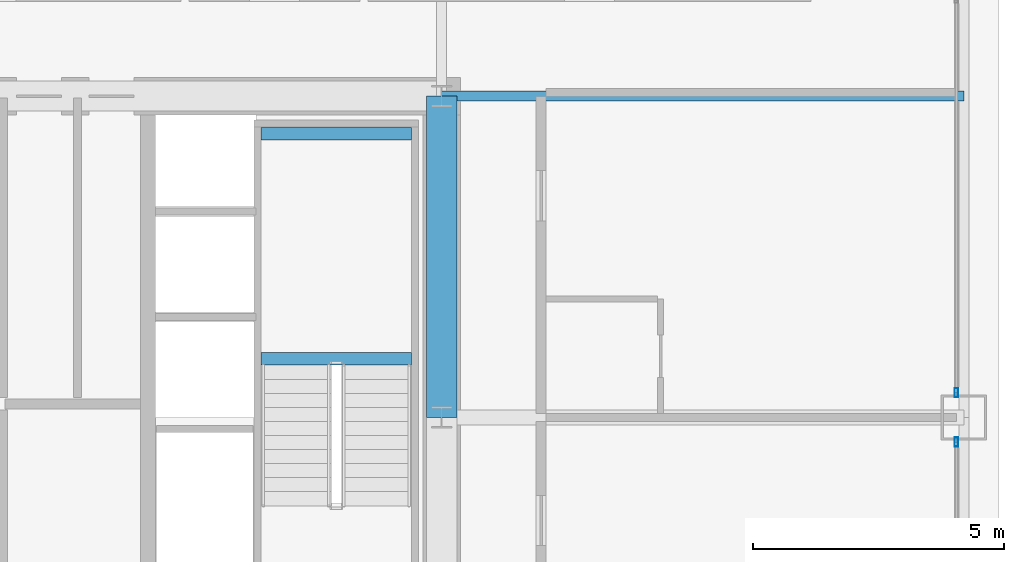
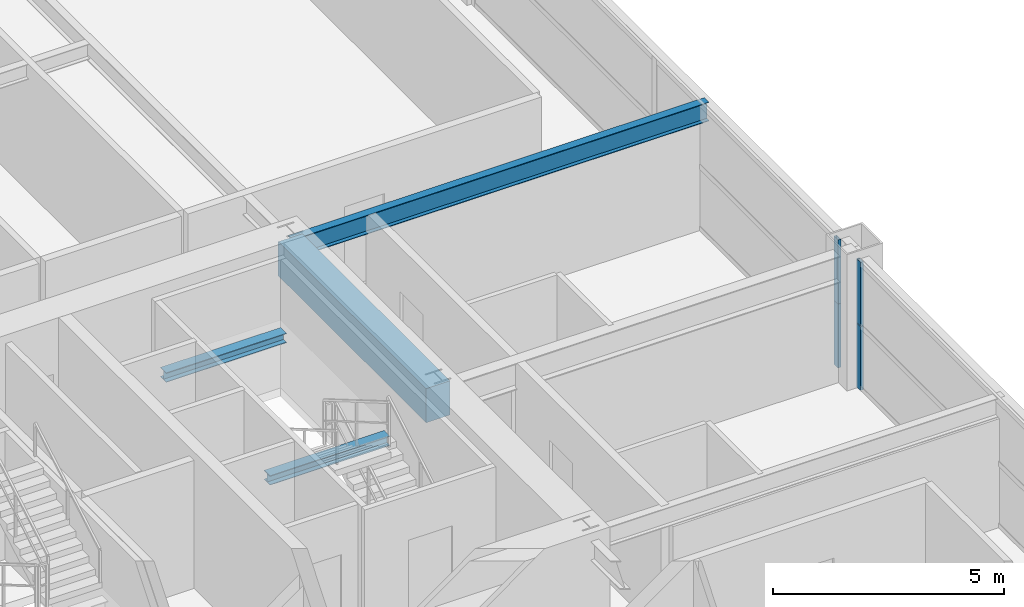
# One storey, part 19 of 38: 4 beams, 4 members, 2 elements without a shape of their own.
"""IFC4 building model written with IfcOpenShell, lengths in metres."""

from ifc_helpers import new_model, si_unit, direction, frame, origin, origin_2d, place, context, subcontext, project, spatial, rectangle, hollow_rectangle, i_section, extrude, source, transform, mapped, material, layer, layer_set, material_profile, profile_set, type_object, element, aggregate, save


model = new_model("IFC4")

# Units and contexts
model_context = context("Model", 3, precision=1e-05, world=origin(), true_north=direction((0.0, 1.0)))
body_context = subcontext(model_context, "Body", "Model", "MODEL_VIEW")
ifc_project = project(units=[si_unit("LENGTHUNIT", "METRE"), si_unit("AREAUNIT", "SQUARE_METRE"), si_unit("VOLUMEUNIT", "CUBIC_METRE"), si_unit("PLANEANGLEUNIT", "RADIAN"), si_unit("MASSUNIT", "GRAM", prefix="KILO"), si_unit("THERMODYNAMICTEMPERATUREUNIT", "KELVIN"), si_unit("POWERUNIT", "WATT")], contexts=[model_context])

# Site, building, storey
site_placement = place(None, origin())
site = spatial("IfcSite", under=ifc_project, at=site_placement, CompositionType="ELEMENT")
building_placement = place(site_placement, origin())
building = spatial("IfcBuilding", under=site, at=building_placement, Name="Yuzanri Waterfront Tower", CompositionType="ELEMENT")
storey_placement = place(building_placement, frame((0.0, 0.0, 111.800048828125)))
storey = spatial("IfcBuildingStorey", under=building, at=storey_placement, Name="L29", CompositionType="ELEMENT", Elevation=111.800048828125)

# Beams
ifc_material_1 = material(Name="Concrete C60", Category="concrete")
ifc_material_profile_1 = material_profile(ifc_material_1, rectangle(XDim=0.60009765625, YDim=0.89990234375, at=origin_2d()), Name="RC 600x900")
ifc_profile_set_1 = profile_set([ifc_material_profile_1], Name="Concrete C60")
beam_type_1 = type_object("IfcBeamType", Name="Core Coupling Lintel Concrete C60 600x900", PredefinedType="LINTEL", material=ifc_profile_set_1)
shared_shape_1 = source(origin(), body_context, "Body", "SweptSolid", [
    extrude(rectangle(XDim=0.60009765625, YDim=0.89990234375, at=origin_2d()), origin(), (0.0, 0.0, 1.0), 6.39990234375),
])
beam_1_placement = place(storey_placement, frame((50.199951171875, 25.800048828125, 2.929931640625), z_axis=(0.0, 1.0, 0.0), x_axis=(-1.0, 0.0, 0.0)))
element("IfcBeam", 1, at=beam_1_placement, inside=storey, type_object=beam_type_1, Name="L29 Core Tie Beam CE2", PredefinedType="LINTEL", context=body_context, shape_type="MappedRepresentation", body=[
    mapped(shared_shape_1, transform((0.0, 0.0, 0.0), scale=1.0)),
])
ifc_material_2 = material(Name="Steel Q355B", Category="steel")
ifc_material_profile_2 = material_profile(ifc_material_2, i_section(OverallWidth=0.199951171875, OverallDepth=0.5, WebThickness=0.010009765625, FlangeThickness=0.01611328125, at=origin_2d()), Name="HN 500x200x10x16")
ifc_profile_set_2 = profile_set([ifc_material_profile_2], Name="Steel Q355B")
beam_type_2 = type_object("IfcBeamType", Name="Secondary Floor Beam Q355B HN 500x200", PredefinedType="BEAM", material=ifc_profile_set_2)
shared_shape_2 = source(origin(), body_context, "Body", "SweptSolid", [
    extrude(i_section(OverallWidth=0.199951171875, OverallDepth=0.5, WebThickness=0.010009765625, FlangeThickness=0.01611328125, at=origin_2d()), origin(), (0.0, 0.0, 1.0), 10.400146484375),
])
beam_2_placement = place(storey_placement, frame((50.199951171875, 32.199951171875, 3.1298828125), z_axis=(1.0, 0.0, 0.0), x_axis=(0.0, 1.0, 0.0)))
element("IfcBeam", 2, at=beam_2_placement, inside=storey, type_object=beam_type_2, Name="L29 East-North Core Line Beam", PredefinedType="BEAM", context=body_context, shape_type="MappedRepresentation", body=[
    mapped(shared_shape_2, transform((0.0, 0.0, 0.0), scale=1.0)),
])

# Curtain wall, members
ifc_material_3 = material(Name="Anodized Architectural Bronze", Category="metal")
ifc_layer = layer(ifc_material_3, 0.159912109375)
ifc_layer_set = layer_set([ifc_layer], Name="Anodized Architectural Bronze")
curtain_wall_type = type_object("IfcCurtainWallType", Name="Anodized Bronze Hotel Upper-Tier Solar-Control Unitized Curtain Wall 7800", PredefinedType="NOTDEFINED", material=ifc_layer_set)
curtain_wall_1_placement = place(storey_placement, origin())
curtain_wall_1 = element("IfcCurtainWall", 3, at=curtain_wall_1_placement, inside=storey, type_object=curtain_wall_type, Name="L29 Curtain Wall CW-L29-EL", PredefinedType="NOTDEFINED")
ifc_material_4 = material(Name="Anodized Architectural Bronze", Category="metal")
ifc_material_profile_3 = material_profile(ifc_material_4, hollow_rectangle(XDim=0.070068359375, YDim=0.179931640625, WallThickness=0.00390625, at=origin_2d()), Name="CWM 70x180")
ifc_profile_set_3 = profile_set([ifc_material_profile_3], Name="Anodized Architectural Bronze")
member_type = type_object("IfcMemberType", Name="Anodized Bronze Standard Curtain-Wall Mullion 70x180", PredefinedType="MULLION", material=ifc_profile_set_3)
shared_shape_3 = source(origin(), body_context, "Body", "SweptSolid", [
    extrude(hollow_rectangle(XDim=0.070068359375, YDim=0.179931640625, WallThickness=0.00390625, at=origin_2d()), origin(), (0.0, 0.0, 1.0), 1.68798828125),
])
member_1_placement = place(storey_placement, frame((60.449951171875, 25.31005859375, 0.0), z_axis=(0.0, 0.0, 1.0), x_axis=(1.0, 0.0, 0.0)))
member_1 = element("IfcMember", 4, at=member_1_placement, type_object=member_type, Name="CW-L29-EL Lower Mullion 02", PredefinedType="MULLION", context=body_context, shape_type="MappedRepresentation", body=[
    mapped(shared_shape_3, transform((0.0, 0.0, 0.0), scale=1.0)),
])
member_2_placement = place(storey_placement, frame((60.449951171875, 25.31005859375, 1.69189453125), z_axis=(0.0, 0.0, 1.0), x_axis=(1.0, 0.0, 0.0)))
member_2 = element("IfcMember", 5, at=member_2_placement, type_object=member_type, Name="CW-L29-EL Upper Mullion 02", PredefinedType="MULLION", context=body_context, shape_type="MappedRepresentation", body=[
    mapped(shared_shape_3, transform((0.0, 0.0, 0.0), scale=1.0)),
])
aggregate(curtain_wall_1, [member_1, member_2])

curtain_wall_2_placement = place(storey_placement, origin())
curtain_wall_2 = element("IfcCurtainWall", 6, at=curtain_wall_2_placement, inside=storey, type_object=curtain_wall_type, Name="L29 Curtain Wall CW-L29-ER", PredefinedType="NOTDEFINED")
member_3_placement = place(storey_placement, frame((60.449951171875, 26.2900390625, 0.0), z_axis=(0.0, 0.0, 1.0), x_axis=(1.0, 0.0, 0.0)))
member_3 = element("IfcMember", 7, at=member_3_placement, type_object=member_type, Name="CW-L29-ER Lower Mullion 00", PredefinedType="MULLION", context=body_context, shape_type="MappedRepresentation", body=[
    mapped(shared_shape_3, transform((0.0, 0.0, 0.0), scale=1.0)),
])
member_4_placement = place(storey_placement, frame((60.449951171875, 26.2900390625, 1.69189453125), z_axis=(0.0, 0.0, 1.0), x_axis=(1.0, 0.0, 0.0)))
member_4 = element("IfcMember", 8, at=member_4_placement, type_object=member_type, Name="CW-L29-ER Upper Mullion 00", PredefinedType="MULLION", context=body_context, shape_type="MappedRepresentation", body=[
    mapped(shared_shape_3, transform((0.0, 0.0, 0.0), scale=1.0)),
])
aggregate(curtain_wall_2, [member_3, member_4])

# Beams
ifc_material_5 = material(Name="Steel Q355B", Category="steel")
ifc_material_profile_4 = material_profile(ifc_material_5, i_section(OverallWidth=0.25, OverallDepth=0.25, WebThickness=0.009033203125, FlangeThickness=0.013916015625, at=origin_2d()), Name="HW 250x250x9x14")
ifc_profile_set_4 = profile_set([ifc_material_profile_4], Name="Steel Q355B")
beam_type_3 = type_object("IfcBeamType", Name="Stair Landing Support Beam Q355B HW 250x250", PredefinedType="BEAM", material=ifc_profile_set_4)
shared_shape_4 = source(origin(), body_context, "Body", "SweptSolid", [
    extrude(i_section(OverallWidth=0.25, OverallDepth=0.25, WebThickness=0.009033203125, FlangeThickness=0.013916015625, at=origin_2d()), origin(), (0.0, 0.0, 1.0), 3.0),
])
for number, where, z_axis, x_axis, name in (
    (9, (46.60009765625, 26.969970703125, 1.474853515625), (1.0, 0.0, 0.0), (0.0, 1.0, 0.0), "L29 Stair Landing Support Beam ST-02-L29-L1-1"),
    (10, (46.60009765625, 31.449951171875, 1.474853515625), (1.0, 0.0, 0.0), (0.0, 1.0, 0.0), "L29 Stair Landing Support Beam ST-02-L29-L1-2"),
):
    element("IfcBeam", number, at=place(storey_placement, frame(where, z_axis=z_axis, x_axis=x_axis)), inside=storey, type_object=beam_type_3, Name=name, PredefinedType="BEAM", context=body_context, shape_type="MappedRepresentation", body=[
        mapped(shared_shape_4, transform((0.0, 0.0, 0.0), scale=1.0)),
    ])

save(model, "model.ifc")
